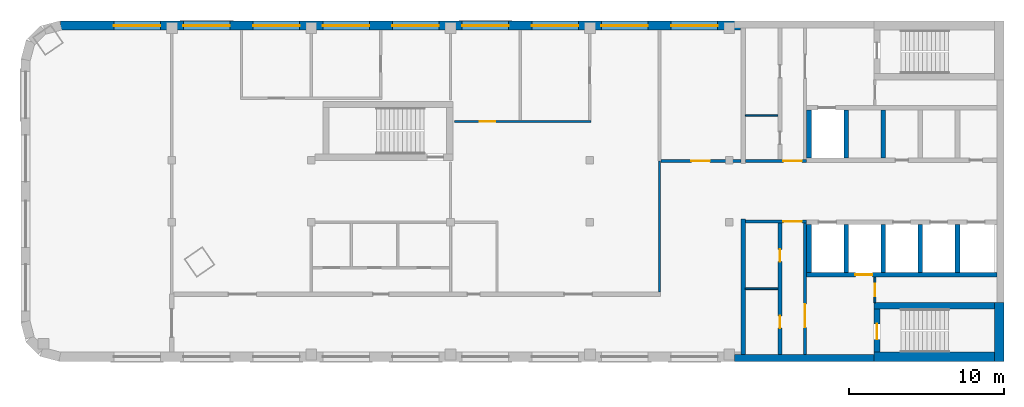
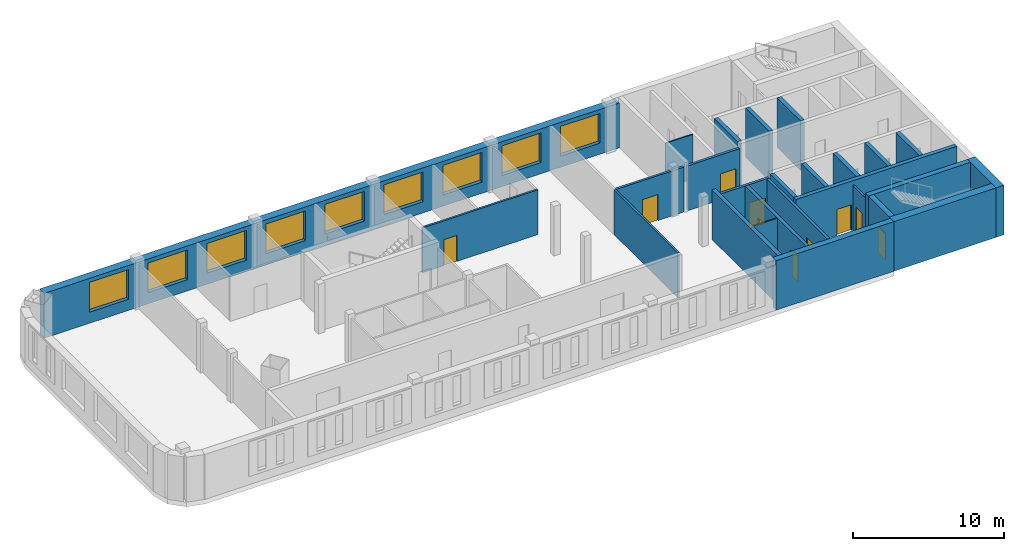
# One storey, part 3 of 6: 26 walls, 10 doors, 9 windows, 19 openings.
"""IFC4 building model written with IfcOpenShell, lengths in metres."""

import ifcopenshell
import ifcopenshell.guid

model = None  # the IFC model being written
_history = None  # IfcOwnerHistory: only IFC2X3 demands one
_inside = {}  # id of a spatial element -> (the spatial element, [elements in it])
_under = {}  # id of a project, library or spatial element -> (it, [spatial elements below it])
_declared = {}  # id of a project -> (the project, [libraries it declares])
_typed = {}  # id of a type object -> (the type object, [elements of that type])
_made_of = {}  # id of a material, layer set ... -> (it, [elements and type objects made of it])


def new_model(schema):
    """Start an empty IFC model of exactly this schema.

    Asked for "IFC4X3", IfcOpenShell would pick the latest addendum, in which some entities
    have other attributes; the version numbers below select the first issue.
    IFC2X3 requires an IfcOwnerHistory on every rooted entity: one is made here for all.
    """
    global model, _history
    if schema == "IFC4X3":
        model = ifcopenshell.file(schema_version=(4, 3, 0, 0))
    else:
        model = ifcopenshell.file(schema=schema)
    _inside.clear()
    _under.clear()
    _declared.clear()
    _typed.clear()
    _made_of.clear()
    _history = None
    if model.schema == "IFC2X3":
        org = make("IfcOrganization", Name="unknown")
        user = make(
            "IfcPersonAndOrganization",
            ThePerson=make("IfcPerson", FamilyName="unknown"),
            TheOrganization=org,
        )
        app = make(
            "IfcApplication",
            ApplicationDeveloper=org,
            Version="unknown",
            ApplicationFullName="unknown",
            ApplicationIdentifier="unknown",
        )
        _history = make(
            "IfcOwnerHistory",
            OwningUser=user,
            OwningApplication=app,
            ChangeAction="ADDED",
            CreationDate=0,
        )
    return model


def make(cls, **values):
    """One entity of the class cls with the attributes given. An attribute that is None is left unset."""
    return model.create_entity(
        cls, **{name: value for name, value in values.items() if value is not None}
    )


def rooted(cls, **values):
    """An entity with a GlobalId (a new one), such as an element, a storey or a relation."""
    return make(cls, GlobalId=ifcopenshell.guid.new(), OwnerHistory=_history, **values)


def si_unit(unit_type, name, prefix=None):
    """IfcSIUnit, for example si_unit("LENGTHUNIT", "METRE", prefix="MILLI")."""
    return make("IfcSIUnit", UnitType=unit_type, Prefix=prefix, Name=name)


def assignment(units):
    """IfcUnitAssignment: the units of a project."""
    return None if units is None else make("IfcUnitAssignment", Units=units)


def point(xyz):
    """IfcCartesianPoint."""
    return None if xyz is None else make("IfcCartesianPoint", Coordinates=xyz)


def direction(xyz):
    """IfcDirection."""
    return None if xyz is None else make("IfcDirection", DirectionRatios=xyz)


def frame(location, z_axis=None, x_axis=None):
    """IfcAxis2Placement3D, a coordinate frame: its origin and axes. An axis left out is left unset."""
    return make(
        "IfcAxis2Placement3D",
        Location=point(location),
        Axis=direction(z_axis),
        RefDirection=direction(x_axis),
    )


def frame_2d(location, x_axis=None):
    """IfcAxis2Placement2D, a coordinate frame in the plane: its origin and x axis."""
    return make(
        "IfcAxis2Placement2D", Location=point(location), RefDirection=direction(x_axis)
    )


def origin():
    """The frame at (0, 0, 0) with its axes left unset."""
    return frame((0.0, 0.0, 0.0))


def place(relative_to, where):
    """IfcLocalPlacement: puts the frame where relative to a parent placement (None: the world)."""
    return make(
        "IfcLocalPlacement", PlacementRelTo=relative_to, RelativePlacement=where
    )


def context(
    kind, dimensions, precision=None, world=None, true_north=None, identifier=None
):
    """IfcGeometricRepresentationContext, for example the 3D "Model" context."""
    return make(
        "IfcGeometricRepresentationContext",
        ContextIdentifier=identifier,
        ContextType=kind,
        CoordinateSpaceDimension=dimensions,
        Precision=precision,
        WorldCoordinateSystem=world,
        TrueNorth=true_north,
    )


def subcontext(parent, identifier, kind, view, scale=None):
    """IfcGeometricRepresentationSubContext, for example "Body" below "Model"."""
    return make(
        "IfcGeometricRepresentationSubContext",
        ContextIdentifier=identifier,
        ContextType=kind,
        ParentContext=parent,
        TargetScale=scale,
        TargetView=view,
    )


def project(units=None, contexts=None):
    """IfcProject with its units and contexts."""
    return rooted(
        "IfcProject",
        Name="project",
        RepresentationContexts=contexts,
        UnitsInContext=assignment(units),
    )


def spatial(cls, under=None, at=None, **own):
    """A site, building, storey or space (cls), placed at a placement, below another one or the project."""
    s = rooted(cls, ObjectPlacement=at, **own)
    if under is not None:
        _under.setdefault(under.id(), (under, []))[1].append(s)
    return s


def profile(cls, at=None, kind="AREA", **sizes):
    """A parametric profile (cls). Its sizes go by their IFC names, for example OverallWidth=200.0."""
    return make(cls, ProfileType=kind, Position=at, **sizes)


def rectangle(**sizes):
    """IfcRectangleProfileDef."""
    return profile("IfcRectangleProfileDef", **sizes)


def extrude(swept, where, along, depth):
    """IfcExtrudedAreaSolid: the profile swept, set in the frame where, extruded along a direction by depth."""
    return make(
        "IfcExtrudedAreaSolid",
        SweptArea=swept,
        Position=where,
        ExtrudedDirection=direction(along),
        Depth=depth,
    )


def shape(context_of_items, identifier, shape_type, items):
    """IfcShapeRepresentation: the items that make up one representation, for example the "Body"."""
    return make(
        "IfcShapeRepresentation",
        ContextOfItems=context_of_items,
        RepresentationIdentifier=identifier,
        RepresentationType=shape_type,
        Items=items,
    )


def material(Name=None, Category=None):
    """IfcMaterial."""
    return make("IfcMaterial", Name=Name, Category=Category)


def layer(
    of_material, thickness, ventilated=None, Name=None, Category=None, Priority=None
):
    """IfcMaterialLayer: one layer of a wall or slab, of a material (None: an air gap)."""
    return make(
        "IfcMaterialLayer",
        Material=of_material,
        LayerThickness=thickness,
        IsVentilated=ventilated,
        Name=Name,
        Category=Category,
        Priority=Priority,
    )


def layer_set(layers, Name=None):
    """IfcMaterialLayerSet."""
    return make("IfcMaterialLayerSet", MaterialLayers=layers, LayerSetName=Name)


def made_of(thing, what):
    """Note that an element or type object is made of a material, layer set ...; save() writes the relation."""
    if what is not None:
        _made_of.setdefault(what.id(), (what, []))[1].append(thing)
    return thing


def type_object(cls, material=None, **own):
    """A type object (cls), such as IfcWallType, which elements share."""
    return made_of(rooted(cls, **own), material)


def element(
    cls,
    number,
    at=None,
    inside=None,
    cuts=None,
    type_object=None,
    material=None,
    context=None,
    identifier="Body",
    shape_type=None,
    held_by="IfcProductDefinitionShape",
    body=None,
    shapes=None,
    **own,
):
    """One element of the class cls, such as IfcWall. Its Tag is "e" and its number.

    at: its placement. inside: the storey or other place that contains it. cuts: it is an
    opening in that element (IfcRelVoidsElement). A single representation is given by context,
    identifier, shape_type and body (its items); several are given by shapes. held_by: the class
    of the entity that holds the representations. save() writes the other relations.
    """
    e = rooted(cls, Tag="e%d" % number, ObjectPlacement=at, **own)
    if body is not None:
        shapes = [shape(context, identifier, shape_type, body)]
    if shapes is not None:
        e.Representation = make(held_by, Representations=shapes)
    if inside is not None:
        _inside.setdefault(inside.id(), (inside, []))[1].append(e)
    if cuts is not None:
        rooted(
            "IfcRelVoidsElement", RelatingBuildingElement=cuts, RelatedOpeningElement=e
        )
    if type_object is not None:
        _typed.setdefault(type_object.id(), (type_object, []))[1].append(e)
    return made_of(e, material)


def fill(opening, filler):
    """IfcRelFillsElement: the door or window that sits in an opening."""
    return rooted(
        "IfcRelFillsElement",
        RelatingOpeningElement=opening,
        RelatedBuildingElement=filler,
    )


def aggregate(whole, parts):
    """IfcRelAggregates: a whole, such as a stair, and the parts it consists of."""
    return rooted("IfcRelAggregates", RelatingObject=whole, RelatedObjects=parts)


def save(model, path):
    """Write the relations noted so far, then the file.

    IfcRelAggregates (storeys below a building ...), IfcRelContainedInSpatialStructure (elements
    in a storey), IfcRelDefinesByType, IfcRelAssociatesMaterial and IfcRelDeclares: one each for
    every whole, place, type object, material and project.
    """
    for whole, parts in _under.values():
        aggregate(whole, parts)
    for where, things in _inside.values():
        rooted(
            "IfcRelContainedInSpatialStructure",
            RelatedElements=things,
            RelatingStructure=where,
        )
    for kind, things in _typed.values():
        rooted("IfcRelDefinesByType", RelatedObjects=things, RelatingType=kind)
    for what, things in _made_of.values():
        rooted("IfcRelAssociatesMaterial", RelatedObjects=things, RelatingMaterial=what)
    for by, libraries in _declared.values():
        rooted("IfcRelDeclares", RelatingContext=by, RelatedDefinitions=libraries)
    model.write(path)


model = new_model("IFC4")

# Units and contexts
model_context = context("Model", 3, precision=1e-05, world=origin(), true_north=direction((0.0, 1.0)))
body_context = subcontext(model_context, "Body", "Model", "MODEL_VIEW")
ifc_project = project(units=[si_unit("LENGTHUNIT", "METRE"), si_unit("AREAUNIT", "SQUARE_METRE"), si_unit("VOLUMEUNIT", "CUBIC_METRE"), si_unit("PLANEANGLEUNIT", "RADIAN"), si_unit("MASSUNIT", "GRAM", prefix="KILO")], contexts=[model_context])

# Site, building, storey
site_placement = place(None, origin())
site = spatial("IfcSite", under=ifc_project, at=site_placement, CompositionType="ELEMENT")
building_placement = place(site_placement, origin())
building = spatial("IfcBuilding", under=site, at=building_placement, Name="Skarvind Civic Tower", CompositionType="ELEMENT")
storey_placement = place(building_placement, frame((0.0, 0.0, 269.5)))
storey = spatial("IfcBuildingStorey", under=building, at=storey_placement, Name="L64", CompositionType="ELEMENT", Elevation=269.5)

# Wall, opening, door
ifc_material_1 = material(Name="Acoustic gypsum board on steel studs", Category="steel")
ifc_layer_1 = layer(ifc_material_1, 0.175048828125)
ifc_layer_set_1 = layer_set([ifc_layer_1], Name="ACOUSTIC MEETING-ROOM PARTITION 175")
wall_type_1 = type_object("IfcWallType", Name="ACOUSTIC MEETING-ROOM PARTITION 175", PredefinedType="PARTITIONING", material=ifc_layer_set_1)
wall_1_placement = place(storey_placement, frame((85.837890625, 129.949951171875, 0.0), z_axis=(0.0, 0.0, 1.0), x_axis=(1.0, 0.0, 0.0)))
wall_1 = element("IfcWall", 1, at=wall_1_placement, inside=storey, type_object=wall_type_1, Name="Partition 64.023", PredefinedType="PARTITIONING", context=body_context, shape_type="SweptSolid", body=[
    extrude(rectangle(XDim=5.162109375, YDim=0.175048828125, at=frame_2d((2.5810546875, 0.0))), origin(), (0.0, 0.0, 1.0), 3.625),
])
opening_1_placement = place(wall_1_placement, frame((1.970947265625, 0.0, 0.0)))
opening_1 = element("IfcOpeningElement", 2, at=opening_1_placement, cuts=wall_1, Name="Opening L64-D001", PredefinedType="OPENING", context=body_context, shape_type="SweptSolid", body=[
    extrude(rectangle(XDim=1.199951171875, YDim=2.10009765625, at=frame_2d((0.60009765625, 1.050048828125))), frame((0.0, 0.097412109375, 0.0), z_axis=(0.0, -1.0, 0.0), x_axis=(1.0, 0.0, 0.0)), (0.0, 0.0, 1.0), 0.195068359375),
])
ifc_material_2 = material(Name="Timber door leaf", Category="wood")
door_type_1 = type_object("IfcDoorType", Name="DOOR 1200X2100 DOUBLE TIMBER", OperationType="NOTDEFINED", PredefinedType="DOOR", material=ifc_material_2)
door_1_placement = place(opening_1_placement, origin())
door_1 = element("IfcDoor", 3, at=door_1_placement, inside=storey, type_object=door_type_1, Name="Door L64-D001", OperationType="DOUBLE_DOOR_SINGLE_SWING", OverallHeight=2.10009765625, OverallWidth=1.199951171875, PredefinedType="DOOR", context=body_context, shape_type="SweptSolid", body=[
    extrude(rectangle(XDim=1.199951171875, YDim=2.10009765625, at=frame_2d((0.60009765625, 1.050048828125))), frame((0.0, 0.02490234375, 0.0), z_axis=(0.0, -1.0, 0.0), x_axis=(1.0, 0.0, 0.0)), (0.0, 0.0, 1.0), 0.050048828125),
])
fill(opening_1, door_1)

ifc_material_3 = material(Name="Fire-rated masonry partition", Category="masonry")
ifc_layer_2 = layer(ifc_material_3, 0.199951171875)
ifc_layer_set_2 = layer_set([ifc_layer_2], Name="Core enclosure wall 200")
wall_type_2 = type_object("IfcWallType", Name="Core enclosure wall 200", PredefinedType="PARTITIONING", material=ifc_layer_set_2)
wall_2_placement = place(storey_placement, frame((95.25, 126.050048828125, 0.0), z_axis=(0.0, 0.0, 1.0), x_axis=(-1.0, 0.0, 0.0)))
wall_2 = element("IfcWall", 4, at=wall_2_placement, inside=storey, type_object=wall_type_2, Name="Core wall C1", PredefinedType="PARTITIONING", context=body_context, shape_type="SweptSolid", body=[
    extrude(rectangle(XDim=3.949951171875, YDim=0.199951171875, at=frame_2d((1.97509765625, 0.0))), origin(), (0.0, 0.0, 1.0), 3.625),
])
opening_2_placement = place(wall_2_placement, frame((0.300048828125, 0.0, 0.0)))
opening_2 = element("IfcOpeningElement", 5, at=opening_2_placement, cuts=wall_2, Name="Opening D-L64-C1-07", PredefinedType="OPENING", context=body_context, shape_type="SweptSolid", body=[
    extrude(rectangle(XDim=1.199951171875, YDim=2.10009765625, at=frame_2d((0.60009765625, 1.050048828125))), frame((0.0, 0.10986328125, 0.0), z_axis=(0.0, -1.0, 0.0), x_axis=(1.0, 0.0, 0.0)), (0.0, 0.0, 1.0), 0.219970703125),
])
ifc_material_4 = material(Name="Fire-rated steel door", Category="steel")
door_type_2 = type_object("IfcDoorType", Name="Core lobby door 1200", OperationType="NOTDEFINED", PredefinedType="DOOR", material=ifc_material_4)
door_2_placement = place(opening_2_placement, origin())
door_2 = element("IfcDoor", 6, at=door_2_placement, inside=storey, type_object=door_type_2, Name="Fire door", OperationType="DOUBLE_DOOR_SINGLE_SWING", OverallHeight=2.10009765625, OverallWidth=1.199951171875, PredefinedType="DOOR", context=body_context, shape_type="SweptSolid", body=[
    extrude(rectangle(XDim=1.199951171875, YDim=2.10009765625, at=frame_2d((0.60009765625, 1.050048828125))), frame((0.0, 0.02490234375, 0.0), z_axis=(0.0, -1.0, 0.0), x_axis=(1.0, 0.0, 0.0)), (0.0, 0.0, 1.0), 0.050048828125),
])
fill(opening_2, door_2)

wall_3_placement = place(storey_placement, frame((95.14990234375, 117.449951171875, 0.0), z_axis=(0.0, 0.0, 1.0), x_axis=(0.0, 1.0, 0.0)))
wall_3 = element("IfcWall", 7, at=wall_3_placement, inside=storey, type_object=wall_type_2, Name="Core wall C1", PredefinedType="PARTITIONING", context=body_context, shape_type="SweptSolid", body=[
    extrude(rectangle(XDim=8.5, YDim=0.199951171875, at=frame_2d((4.25, 0.0))), origin(), (0.0, 0.0, 1.0), 3.625),
])
opening_3_placement = place(wall_3_placement, frame((1.75, 0.0, 0.0)))
opening_3 = element("IfcOpeningElement", 8, at=opening_3_placement, cuts=wall_3, Name="Opening D-L64-C1-08", PredefinedType="OPENING", context=body_context, shape_type="SweptSolid", body=[
    extrude(rectangle(XDim=1.5, YDim=2.10009765625, at=frame_2d((0.75, 1.050048828125))), frame((0.0, 0.10986328125, 0.0), z_axis=(0.0, -1.0, 0.0), x_axis=(1.0, 0.0, 0.0)), (0.0, 0.0, 1.0), 0.219970703125),
])
door_type_3 = type_object("IfcDoorType", Name="Fire door 1500", OperationType="NOTDEFINED", PredefinedType="DOOR", material=ifc_material_4)
door_3_placement = place(opening_3_placement, origin())
door_3 = element("IfcDoor", 9, at=door_3_placement, inside=storey, type_object=door_type_3, Name="Fire door", OperationType="DOUBLE_DOOR_SINGLE_SWING", OverallHeight=2.10009765625, OverallWidth=1.5, PredefinedType="DOOR", context=body_context, shape_type="SweptSolid", body=[
    extrude(rectangle(XDim=1.5, YDim=2.10009765625, at=frame_2d((0.75, 1.050048828125))), frame((0.0, 0.02490234375, 0.0), z_axis=(0.0, -1.0, 0.0), x_axis=(1.0, 0.0, 0.0)), (0.0, 0.0, 1.0), 0.050048828125),
])
fill(opening_3, door_3)

wall_4_placement = place(storey_placement, frame((91.300048828125, 129.949951171875, 0.0), z_axis=(0.0, 0.0, 1.0), x_axis=(1.0, 0.0, 0.0)))
wall_4 = element("IfcWall", 10, at=wall_4_placement, inside=storey, type_object=wall_type_2, Name="Core wall C1", PredefinedType="PARTITIONING", context=body_context, shape_type="SweptSolid", body=[
    extrude(rectangle(XDim=3.949951171875, YDim=0.199951171875, at=frame_2d((1.97509765625, 0.0))), origin(), (0.0, 0.0, 1.0), 3.625),
])
opening_4_placement = place(wall_4_placement, frame((2.449951171875, 0.0, 0.0)))
opening_4 = element("IfcOpeningElement", 11, at=opening_4_placement, cuts=wall_4, Name="Opening D-L64-C1-13", PredefinedType="OPENING", context=body_context, shape_type="SweptSolid", body=[
    extrude(rectangle(XDim=1.199951171875, YDim=2.10009765625, at=frame_2d((0.60009765625, 1.050048828125))), frame((0.0, 0.10986328125, 0.0), z_axis=(0.0, -1.0, 0.0), x_axis=(1.0, 0.0, 0.0)), (0.0, 0.0, 1.0), 0.219970703125),
])
door_4_placement = place(opening_4_placement, origin())
door_4 = element("IfcDoor", 12, at=door_4_placement, inside=storey, type_object=door_type_2, Name="Fire door", OperationType="DOUBLE_DOOR_SINGLE_SWING", OverallHeight=2.10009765625, OverallWidth=1.199951171875, PredefinedType="DOOR", context=body_context, shape_type="SweptSolid", body=[
    extrude(rectangle(XDim=1.199951171875, YDim=2.10009765625, at=frame_2d((0.60009765625, 1.050048828125))), frame((0.0, 0.02490234375, 0.0), z_axis=(0.0, -1.0, 0.0), x_axis=(1.0, 0.0, 0.0)), (0.0, 0.0, 1.0), 0.050048828125),
])
fill(opening_4, door_4)

# Walls
ifc_material_5 = material(Name="Fire-rated plasterboard partition")
ifc_layer_3 = layer(ifc_material_5, 0.10009765625)
ifc_layer_set_3 = layer_set([ifc_layer_3], Name="Core partition wall 100")
wall_type_3 = type_object("IfcWallType", Name="Core partition wall 100", PredefinedType="PARTITIONING", material=ifc_layer_set_3)
for number, where, z_axis, x_axis, name in (
    (13, (93.39990234375, 121.699951171875, 0.0), (0.0, 0.0, 1.0), (-1.0, 0.0, 0.0), "Core wall C1"),
    (14, (91.300048828125, 132.8798828125, 0.0), (0.0, 0.0, 1.0), (1.0, 0.0, 0.0), "Core wall C1"),
):
    element("IfcWall", number, at=place(storey_placement, frame(where, z_axis=z_axis, x_axis=x_axis)), inside=storey, type_object=wall_type_3, Name=name, PredefinedType="PARTITIONING", context=body_context, shape_type="SweptSolid", body=[
        extrude(rectangle(XDim=2.099853515625, YDim=0.10009765625, at=frame_2d((1.0498046875, 0.0))), origin(), (0.0, 0.0, 1.0), 3.625),
    ])
ifc_material_6 = material(Name="Concrete C60", Category="concrete")
ifc_layer_4 = layer(ifc_material_6, 0.300048828125)
ifc_layer_set_4 = layer_set([ifc_layer_4], Name="Core wall 300 C60")
wall_type_4 = type_object("IfcWallType", Name="Core wall 300 C60", PredefinedType="SHEAR", material=ifc_layer_set_4)
for number, where, z_axis, x_axis, name in (
    (15, (100.199951171875, 133.25, 0.0), (0.0, 0.0, 1.0), (0.0, -1.0, 0.0), "Core wall C1 south lift row division 3 L64"),
    (16, (97.800048828125, 133.25, 0.0), (0.0, 0.0, 1.0), (0.0, -1.0, 0.0), "Core wall C1 south lift row division 4 L64"),
    (17, (95.39990234375, 133.25, 0.0), (0.0, 0.0, 1.0), (0.0, -1.0, 0.0), "Core wall C1 south lift row division 5 L64"),
):
    element("IfcWall", number, at=place(storey_placement, frame(where, z_axis=z_axis, x_axis=x_axis)), inside=storey, type_object=wall_type_4, Name=name, PredefinedType="SHEAR", context=body_context, shape_type="SweptSolid", body=[
        extrude(rectangle(XDim=3.10009765625, YDim=0.300048828125, at=frame_2d((1.550048828125, 0.0))), origin(), (0.0, 0.0, 1.0), 4.0),
    ])

# Wall, opening, door
wall_5_placement = place(storey_placement, frame((107.550048828125, 122.60009765625, 0.0), z_axis=(0.0, 0.0, 1.0), x_axis=(-1.0, 0.0, 0.0)))
wall_5 = element("IfcWall", 18, at=wall_5_placement, inside=storey, type_object=wall_type_4, Name="Core wall C1 north lift row back L64", PredefinedType="SHEAR", context=body_context, shape_type="SweptSolid", body=[
    extrude(rectangle(XDim=12.300048828125, YDim=0.300048828125, at=frame_2d((6.14990234375, 0.0))), origin(), (0.0, 0.0, 1.0), 4.0),
])
opening_5_placement = place(wall_5_placement, frame((8.050048828125, 0.0, 0.0)))
opening_5 = element("IfcOpeningElement", 19, at=opening_5_placement, cuts=wall_5, Name="Opening LD66104", PredefinedType="OPENING", context=body_context, shape_type="SweptSolid", body=[
    extrude(rectangle(XDim=1.10009765625, YDim=2.10009765625, at=frame_2d((0.550048828125, 1.050048828125))), frame((0.0, 0.159912109375, 0.0), z_axis=(0.0, -1.0, 0.0), x_axis=(1.0, 0.0, 0.0)), (0.0, 0.0, 1.0), 0.320068359375),
])
ifc_material_7 = material(Name="Stainless steel landing door", Category="steel")
door_type_4 = type_object("IfcDoorType", Name="Lift landing door 1100", OperationType="DOUBLE_DOOR_SLIDING", PredefinedType="DOOR", material=ifc_material_7)
door_5_placement = place(opening_5_placement, origin())
door_5 = element("IfcDoor", 20, at=door_5_placement, inside=storey, type_object=door_type_4, Name="Lift landing door", OperationType="DOUBLE_DOOR_SLIDING", OverallHeight=2.10009765625, OverallWidth=1.10009765625, PredefinedType="DOOR", context=body_context, shape_type="SweptSolid", body=[
    extrude(rectangle(XDim=1.10009765625, YDim=2.10009765625, at=frame_2d((0.550048828125, 1.050048828125))), frame((0.0, 0.02490234375, 0.0), z_axis=(0.0, -1.0, 0.0), x_axis=(1.0, 0.0, 0.0)), (0.0, 0.0, 1.0), 0.050048828125),
])
fill(opening_5, door_5)

# Walls
for number, where, z_axis, x_axis, name in (
    (21, (105.0, 125.85009765625, 0.0), (0.0, 0.0, 1.0), (0.0, -1.0, 0.0), "Core wall C1 north lift row division 1 L64"),
    (22, (102.60009765625, 125.85009765625, 0.0), (0.0, 0.0, 1.0), (0.0, -1.0, 0.0), "Core wall C1 north lift row division 2 L64"),
    (23, (100.199951171875, 125.85009765625, 0.0), (0.0, 0.0, 1.0), (0.0, -1.0, 0.0), "Core wall C1 north lift row division 3 L64"),
    (24, (97.800048828125, 125.85009765625, 0.0), (0.0, 0.0, 1.0), (0.0, -1.0, 0.0), "Core wall C1 north lift row division 4 L64"),
    (25, (95.39990234375, 125.85009765625, 0.0), (0.0, 0.0, 1.0), (0.0, -1.0, 0.0), "Core wall C1 north lift row division 5 L64"),
):
    element("IfcWall", number, at=place(storey_placement, frame(where, z_axis=z_axis, x_axis=x_axis)), inside=storey, type_object=wall_type_4, Name=name, PredefinedType="SHEAR", context=body_context, shape_type="SweptSolid", body=[
        extrude(rectangle(XDim=3.10009765625, YDim=0.300048828125, at=frame_2d((1.550048828125, 0.0))), origin(), (0.0, 0.0, 1.0), 4.0),
    ])
wall_6_placement = place(storey_placement, frame((91.14990234375, 126.199951171875, 0.0), z_axis=(0.0, 0.0, 1.0), x_axis=(0.0, -1.0, 0.0)))
element("IfcWall", 26, at=wall_6_placement, inside=storey, type_object=wall_type_4, Name="Core wall C1 north inner face L64", PredefinedType="SHEAR", context=body_context, shape_type="SweptSolid", body=[
    extrude(rectangle(XDim=8.75, YDim=0.300048828125, at=frame_2d((4.375, 0.0))), origin(), (0.0, 0.0, 1.0), 4.0),
])
ifc_layer_5 = layer(ifc_material_6, 0.39990234375)
ifc_layer_set_5 = layer_set([ifc_layer_5], Name="Core wall 400 C60")
wall_type_5 = type_object("IfcWallType", Name="Core wall 400 C60", PredefinedType="SHEAR", material=ifc_layer_set_5)
wall_7_placement = place(storey_placement, frame((107.39990234375, 120.60009765625, 0.0), z_axis=(0.0, 0.0, 1.0), x_axis=(-1.0, 0.0, 0.0)))
element("IfcWall", 27, at=wall_7_placement, inside=storey, type_object=wall_type_5, Name="Core wall C1 north stair inner L64", PredefinedType="SHEAR", context=body_context, shape_type="SweptSolid", body=[
    extrude(rectangle(XDim=7.7998046875, YDim=0.39990234375, at=frame_2d((3.89990234375, 0.0))), origin(), (0.0, 0.0, 1.0), 4.0),
])

# Wall, opening, door
wall_8_placement = place(storey_placement, frame((99.800048828125, 120.39990234375, 0.0), z_axis=(0.0, 0.0, 1.0), x_axis=(0.0, -1.0, 0.0)))
wall_8 = element("IfcWall", 28, at=wall_8_placement, inside=storey, type_object=wall_type_5, Name="Core wall C1 north stair end L64", PredefinedType="SHEAR", context=body_context, shape_type="SweptSolid", body=[
    extrude(rectangle(XDim=2.7998046875, YDim=0.39990234375, at=frame_2d((1.39990234375, 0.0))), origin(), (0.0, 0.0, 1.0), 4.0),
])
opening_6_placement = place(wall_8_placement, frame((0.97509765625, 0.0, 0.0)))
opening_6 = element("IfcOpeningElement", 29, at=opening_6_placement, cuts=wall_8, Name="Opening D-L64-C1-09", PredefinedType="OPENING", context=body_context, shape_type="SweptSolid", body=[
    extrude(rectangle(XDim=1.0, YDim=2.10009765625, at=frame_2d((0.5, 1.050048828125))), frame((0.0, 0.2099609375, 0.0), z_axis=(0.0, -1.0, 0.0), x_axis=(1.0, 0.0, 0.0)), (0.0, 0.0, 1.0), 0.419921875),
])
door_type_5 = type_object("IfcDoorType", Name="Fire door 1000", OperationType="NOTDEFINED", PredefinedType="DOOR", material=ifc_material_4)
door_6_placement = place(opening_6_placement, origin())
door_6 = element("IfcDoor", 30, at=door_6_placement, inside=storey, type_object=door_type_5, Name="Fire door", OperationType="SINGLE_SWING_LEFT", OverallHeight=2.10009765625, OverallWidth=1.0, PredefinedType="DOOR", context=body_context, shape_type="SweptSolid", body=[
    extrude(rectangle(XDim=1.0, YDim=2.10009765625, at=frame_2d((0.5, 1.050048828125))), frame((0.0, 0.02490234375, 0.0), z_axis=(0.0, -1.0, 0.0), x_axis=(1.0, 0.0, 0.0)), (0.0, 0.0, 1.0), 0.050048828125),
])
fill(opening_6, door_6)

# Walls
ifc_layer_6 = layer(ifc_material_6, 0.449951171875)
ifc_layer_set_6 = layer_set([ifc_layer_6], Name="Core wall 450 C60")
wall_type_6 = type_object("IfcWallType", Name="Core wall 450 C60", PredefinedType="SHEAR", material=ifc_layer_set_6)
wall_9_placement = place(storey_placement, frame((99.60009765625, 117.22509765625, 0.0), z_axis=(0.0, 0.0, 1.0), x_axis=(-1.0, 0.0, 0.0)))
element("IfcWall", 31, at=wall_9_placement, inside=storey, type_object=wall_type_6, Name="Core wall C1 north side L64", PredefinedType="SHEAR", context=body_context, shape_type="SweptSolid", body=[
    extrude(rectangle(XDim=9.0, YDim=0.449951171875, at=frame_2d((4.5, 0.0))), origin(), (0.0, 0.0, 1.0), 4.0),
])
ifc_layer_7 = layer(ifc_material_6, 0.60009765625)
ifc_layer_set_7 = layer_set([ifc_layer_7], Name="Core wall 600 C60")
wall_type_7 = type_object("IfcWallType", Name="Core wall 600 C60", PredefinedType="SHEAR", material=ifc_layer_set_7)
wall_10_placement = place(storey_placement, frame((107.699951171875, 120.800048828125, 0.0), z_axis=(0.0, 0.0, 1.0), x_axis=(0.0, -1.0, 0.0)))
element("IfcWall", 32, at=wall_10_placement, inside=storey, type_object=wall_type_7, Name="Core wall C1 tip at the north stair L64", PredefinedType="SHEAR", context=body_context, shape_type="SweptSolid", body=[
    extrude(rectangle(XDim=3.800048828125, YDim=0.60009765625, at=frame_2d((1.89990234375, 0.0))), origin(), (0.0, 0.0, 1.0), 4.0),
])
wall_11_placement = place(storey_placement, frame((107.39990234375, 117.300048828125, 0.0), z_axis=(0.0, 0.0, 1.0), x_axis=(-1.0, 0.0, 0.0)))
element("IfcWall", 33, at=wall_11_placement, inside=storey, type_object=wall_type_7, Name="Core wall C1 north side at the stair L64", PredefinedType="SHEAR", context=body_context, shape_type="SweptSolid", body=[
    extrude(rectangle(XDim=7.7998046875, YDim=0.60009765625, at=frame_2d((3.89990234375, 0.0))), origin(), (0.0, 0.0, 1.0), 4.0),
])

# Wall, opening, door
ifc_material_8 = material(Name="Plasterboard partition on steel studs", Category="steel")
ifc_layer_8 = layer(ifc_material_8, 0.14990234375)
ifc_layer_set_8 = layer_set([ifc_layer_8], Name="PARTITION 150")
wall_type_8 = type_object("IfcWallType", Name="PARTITION 150", PredefinedType="PARTITIONING", material=ifc_layer_set_8)
wall_12_placement = place(storey_placement, frame((81.324951171875, 132.5, 0.0), z_axis=(0.0, 0.0, 1.0), x_axis=(-1.0, 0.0, 0.0)))
wall_12 = element("IfcWall", 34, at=wall_12_placement, inside=storey, type_object=wall_type_8, Name="Partition 64.016", PredefinedType="PARTITIONING", context=body_context, shape_type="SweptSolid", body=[
    extrude(rectangle(XDim=8.824951171875, YDim=0.14990234375, at=frame_2d((4.41259765625, 0.0))), origin(), (0.0, 0.0, 1.0), 3.625),
])
opening_7_placement = place(wall_12_placement, frame((6.199951171875, 0.0, 0.0)))
opening_7 = element("IfcOpeningElement", 35, at=opening_7_placement, cuts=wall_12, Name="Opening L64-D004", PredefinedType="OPENING", context=body_context, shape_type="SweptSolid", body=[
    extrude(rectangle(XDim=1.0, YDim=2.10009765625, at=frame_2d((0.5, 1.050048828125))), frame((0.0, 0.0849609375, 0.0), z_axis=(0.0, -1.0, 0.0), x_axis=(1.0, 0.0, 0.0)), (0.0, 0.0, 1.0), 0.169921875),
])
door_type_6 = type_object("IfcDoorType", Name="D1 1000x2100", OperationType="NOTDEFINED", PredefinedType="DOOR", material=ifc_material_2)
door_7_placement = place(opening_7_placement, origin())
door_7 = element("IfcDoor", 36, at=door_7_placement, inside=storey, type_object=door_type_6, Name="Door L64-D004", OperationType="SINGLE_SWING_RIGHT", OverallHeight=2.10009765625, OverallWidth=1.0, PredefinedType="DOOR", context=body_context, shape_type="SweptSolid", body=[
    extrude(rectangle(XDim=1.0, YDim=2.10009765625, at=frame_2d((0.5, 1.050048828125))), frame((0.0, 0.02490234375, 0.0), z_axis=(0.0, -1.0, 0.0), x_axis=(1.0, 0.0, 0.0)), (0.0, 0.0, 1.0), 0.050048828125),
])
fill(opening_7, door_7)

# Wall
wall_13_placement = place(storey_placement, frame((85.75, 121.5, 0.0), z_axis=(0.0, 0.0, 1.0), x_axis=(0.0, 1.0, 0.0)))
element("IfcWall", 37, at=wall_13_placement, inside=storey, type_object=wall_type_8, Name="Partition 64.021", PredefinedType="PARTITIONING", context=body_context, shape_type="SweptSolid", body=[
    extrude(rectangle(XDim=8.449951171875, YDim=0.14990234375, at=frame_2d((4.22509765625, 0.0))), origin(), (0.0, 0.0, 1.0), 3.625),
])

# Wall, opening, door
ifc_layer_9 = layer(ifc_material_3, 0.125)
ifc_layer_set_9 = layer_set([ifc_layer_9], Name="Riser wall 125")
wall_type_9 = type_object("IfcWallType", Name="Riser wall 125", PredefinedType="PARTITIONING", material=ifc_layer_set_9)
wall_14_placement = place(storey_placement, frame((99.66259765625, 120.800048828125, 0.0), z_axis=(0.0, 0.0, 1.0), x_axis=(0.0, 1.0, 0.0)))
wall_14 = element("IfcWall", 38, at=wall_14_placement, inside=storey, type_object=wall_type_9, Name="Core wall C1", PredefinedType="PARTITIONING", context=body_context, shape_type="SweptSolid", body=[
    extrude(rectangle(XDim=1.64990234375, YDim=0.125, at=frame_2d((0.824951171875, 0.0))), origin(), (0.0, 0.0, 1.0), 3.625),
])
opening_8_placement = place(wall_14_placement, frame((0.425048828125, 0.0, 0.0)))
opening_8 = element("IfcOpeningElement", 39, at=opening_8_placement, cuts=wall_14, Name="Opening D-L64-C1-10", PredefinedType="OPENING", context=body_context, shape_type="SweptSolid", body=[
    extrude(rectangle(XDim=0.800048828125, YDim=2.10009765625, at=frame_2d((0.39990234375, 1.050048828125))), frame((0.0, 0.072509765625, 0.0), z_axis=(0.0, -1.0, 0.0), x_axis=(1.0, 0.0, 0.0)), (0.0, 0.0, 1.0), 0.14501953125),
])
door_type_7 = type_object("IfcDoorType", Name="Core riser door 800", OperationType="NOTDEFINED", PredefinedType="DOOR", material=ifc_material_4)
door_8_placement = place(opening_8_placement, origin())
door_8 = element("IfcDoor", 40, at=door_8_placement, inside=storey, type_object=door_type_7, Name="Riser door", OperationType="SINGLE_SWING_RIGHT", OverallHeight=2.10009765625, OverallWidth=0.800048828125, PredefinedType="DOOR", context=body_context, shape_type="SweptSolid", body=[
    extrude(rectangle(XDim=0.800048828125, YDim=2.10009765625, at=frame_2d((0.39990234375, 1.050048828125))), frame((0.0, 0.02490234375, 0.0), z_axis=(0.0, -1.0, 0.0), x_axis=(1.0, 0.0, 0.0)), (0.0, 0.0, 1.0), 0.050048828125),
])
fill(opening_8, door_8)

# Wall, openings, doors
ifc_layer_10 = layer(ifc_material_3, 0.25)
ifc_layer_set_10 = layer_set([ifc_layer_10], Name="Service block wall 250")
wall_type_10 = type_object("IfcWallType", Name="Service block wall 250", PredefinedType="PARTITIONING", material=ifc_layer_set_10)
wall_15_placement = place(storey_placement, frame((93.52490234375, 117.449951171875, 0.0), z_axis=(0.0, 0.0, 1.0), x_axis=(0.0, 1.0, 0.0)))
wall_15 = element("IfcWall", 41, at=wall_15_placement, inside=storey, type_object=wall_type_10, Name="Core wall C1", PredefinedType="PARTITIONING", context=body_context, shape_type="SweptSolid", body=[
    extrude(rectangle(XDim=8.5, YDim=0.25, at=frame_2d((4.25, 0.0))), origin(), (0.0, 0.0, 1.0), 3.625),
])
opening_9_placement = place(wall_15_placement, frame((6.0, 0.0, 0.0)))
opening_9 = element("IfcOpeningElement", 42, at=opening_9_placement, cuts=wall_15, Name="Opening D-L64-C1-11", PredefinedType="OPENING", context=body_context, shape_type="SweptSolid", body=[
    extrude(rectangle(XDim=0.800048828125, YDim=2.10009765625, at=frame_2d((0.39990234375, 1.050048828125))), frame((0.0, 0.135009765625, 0.0), z_axis=(0.0, -1.0, 0.0), x_axis=(1.0, 0.0, 0.0)), (0.0, 0.0, 1.0), 0.27001953125),
])
opening_10_placement = place(wall_15_placement, frame((1.699951171875, 0.0, 0.0)))
opening_10 = element("IfcOpeningElement", 43, at=opening_10_placement, cuts=wall_15, Name="Opening D-L64-C1-12", PredefinedType="OPENING", context=body_context, shape_type="SweptSolid", body=[
    extrude(rectangle(XDim=0.800048828125, YDim=2.10009765625, at=frame_2d((0.39990234375, 1.050048828125))), frame((0.0, 0.135009765625, 0.0), z_axis=(0.0, -1.0, 0.0), x_axis=(1.0, 0.0, 0.0)), (0.0, 0.0, 1.0), 0.27001953125),
])
door_9_placement = place(opening_9_placement, origin())
door_9 = element("IfcDoor", 44, at=door_9_placement, inside=storey, type_object=door_type_7, Name="Riser door", OperationType="SINGLE_SWING_LEFT", OverallHeight=2.10009765625, OverallWidth=0.800048828125, PredefinedType="DOOR", context=body_context, shape_type="SweptSolid", body=[
    extrude(rectangle(XDim=0.800048828125, YDim=2.10009765625, at=frame_2d((0.39990234375, 1.050048828125))), frame((0.0, 0.02490234375, 0.0), z_axis=(0.0, -1.0, 0.0), x_axis=(1.0, 0.0, 0.0)), (0.0, 0.0, 1.0), 0.050048828125),
])
fill(opening_9, door_9)
door_10_placement = place(opening_10_placement, origin())
door_10 = element("IfcDoor", 45, at=door_10_placement, inside=storey, type_object=door_type_7, Name="Riser door", OperationType="SINGLE_SWING_RIGHT", OverallHeight=2.10009765625, OverallWidth=0.800048828125, PredefinedType="DOOR", context=body_context, shape_type="SweptSolid", body=[
    extrude(rectangle(XDim=0.800048828125, YDim=2.10009765625, at=frame_2d((0.39990234375, 1.050048828125))), frame((0.0, 0.02490234375, 0.0), z_axis=(0.0, -1.0, 0.0), x_axis=(1.0, 0.0, 0.0)), (0.0, 0.0, 1.0), 0.050048828125),
])
fill(opening_10, door_10)

# Wall, openings, windows
ifc_material_9 = material(Name="Standing-seam zinc cladding on insulated backing")
ifc_layer_11 = layer(ifc_material_9, 0.60009765625)
ifc_layer_set_11 = layer_set([ifc_layer_11], Name="WX2 ZINC-CLAD FACADE WALL 600")
wall_type_11 = type_object("IfcWallType", Name="WX2 ZINC-CLAD FACADE WALL 600", PredefinedType="SOLIDWALL", material=ifc_layer_set_11)
wall_16_placement = place(storey_placement, frame((47.070068359375, 138.699951171875, 0.0), z_axis=(0.0, 0.0, 1.0), x_axis=(1.0, 0.0, 0.0)))
wall_16 = element("IfcWall", 46, at=wall_16_placement, inside=storey, type_object=wall_type_11, Name="ZINC-CLAD FACADE WALL", PredefinedType="SOLIDWALL", context=body_context, shape_type="SweptSolid", body=[
    extrude(rectangle(XDim=43.909912109375, YDim=0.60009765625, at=frame_2d((21.955078125, 0.0))), origin(), (0.0, 0.0, 1.0), 3.625),
])
opening_11_placement = place(wall_16_placement, frame((3.429931640625, 0.0, 0.89990234375)))
opening_11 = element("IfcOpeningElement", 47, at=opening_11_placement, cuts=wall_16, Name="Opening WN4", PredefinedType="OPENING", context=body_context, shape_type="SweptSolid", body=[
    extrude(rectangle(XDim=3.0, YDim=2.39990234375, at=frame_2d((1.5, 1.199951171875))), frame((0.0, 0.31005859375, 0.0), z_axis=(0.0, -1.0, 0.0), x_axis=(1.0, 0.0, 0.0)), (0.0, 0.0, 1.0), 0.6201171875),
])
opening_12_placement = place(wall_16_placement, frame((7.929931640625, 0.0, 0.89990234375)))
opening_12 = element("IfcOpeningElement", 48, at=opening_12_placement, cuts=wall_16, Name="Opening WN4", PredefinedType="OPENING", context=body_context, shape_type="SweptSolid", body=[
    extrude(rectangle(XDim=3.0, YDim=2.39990234375, at=frame_2d((1.5, 1.199951171875))), frame((0.0, 0.31005859375, 0.0), z_axis=(0.0, -1.0, 0.0), x_axis=(1.0, 0.0, 0.0)), (0.0, 0.0, 1.0), 0.6201171875),
])
opening_13_placement = place(wall_16_placement, frame((12.429931640625, 0.0, 0.89990234375)))
opening_13 = element("IfcOpeningElement", 49, at=opening_13_placement, cuts=wall_16, Name="Opening WN4", PredefinedType="OPENING", context=body_context, shape_type="SweptSolid", body=[
    extrude(rectangle(XDim=3.0, YDim=2.39990234375, at=frame_2d((1.5, 1.199951171875))), frame((0.0, 0.31005859375, 0.0), z_axis=(0.0, -1.0, 0.0), x_axis=(1.0, 0.0, 0.0)), (0.0, 0.0, 1.0), 0.6201171875),
])
opening_14_placement = place(wall_16_placement, frame((16.929931640625, 0.0, 0.89990234375)))
opening_14 = element("IfcOpeningElement", 50, at=opening_14_placement, cuts=wall_16, Name="Opening WN4", PredefinedType="OPENING", context=body_context, shape_type="SweptSolid", body=[
    extrude(rectangle(XDim=3.0, YDim=2.39990234375, at=frame_2d((1.5, 1.199951171875))), frame((0.0, 0.31005859375, 0.0), z_axis=(0.0, -1.0, 0.0), x_axis=(1.0, 0.0, 0.0)), (0.0, 0.0, 1.0), 0.6201171875),
])
opening_15_placement = place(wall_16_placement, frame((21.429931640625, 0.0, 0.89990234375)))
opening_15 = element("IfcOpeningElement", 51, at=opening_15_placement, cuts=wall_16, Name="Opening WN4", PredefinedType="OPENING", context=body_context, shape_type="SweptSolid", body=[
    extrude(rectangle(XDim=3.0, YDim=2.39990234375, at=frame_2d((1.5, 1.199951171875))), frame((0.0, 0.31005859375, 0.0), z_axis=(0.0, -1.0, 0.0), x_axis=(1.0, 0.0, 0.0)), (0.0, 0.0, 1.0), 0.6201171875),
])
opening_16_placement = place(wall_16_placement, frame((25.929931640625, 0.0, 0.89990234375)))
opening_16 = element("IfcOpeningElement", 52, at=opening_16_placement, cuts=wall_16, Name="Opening WN4", PredefinedType="OPENING", context=body_context, shape_type="SweptSolid", body=[
    extrude(rectangle(XDim=3.0, YDim=2.39990234375, at=frame_2d((1.5, 1.199951171875))), frame((0.0, 0.31005859375, 0.0), z_axis=(0.0, -1.0, 0.0), x_axis=(1.0, 0.0, 0.0)), (0.0, 0.0, 1.0), 0.6201171875),
])
opening_17_placement = place(wall_16_placement, frame((30.429931640625, 0.0, 0.89990234375)))
opening_17 = element("IfcOpeningElement", 53, at=opening_17_placement, cuts=wall_16, Name="Opening WN4", PredefinedType="OPENING", context=body_context, shape_type="SweptSolid", body=[
    extrude(rectangle(XDim=3.0, YDim=2.39990234375, at=frame_2d((1.5, 1.199951171875))), frame((0.0, 0.31005859375, 0.0), z_axis=(0.0, -1.0, 0.0), x_axis=(1.0, 0.0, 0.0)), (0.0, 0.0, 1.0), 0.6201171875),
])
opening_18_placement = place(wall_16_placement, frame((34.929931640625, 0.0, 0.89990234375)))
opening_18 = element("IfcOpeningElement", 54, at=opening_18_placement, cuts=wall_16, Name="Opening WN4", PredefinedType="OPENING", context=body_context, shape_type="SweptSolid", body=[
    extrude(rectangle(XDim=3.0, YDim=2.39990234375, at=frame_2d((1.5, 1.199951171875))), frame((0.0, 0.31005859375, 0.0), z_axis=(0.0, -1.0, 0.0), x_axis=(1.0, 0.0, 0.0)), (0.0, 0.0, 1.0), 0.6201171875),
])
opening_19_placement = place(wall_16_placement, frame((39.429931640625, 0.0, 0.89990234375)))
opening_19 = element("IfcOpeningElement", 55, at=opening_19_placement, cuts=wall_16, Name="Opening WN4", PredefinedType="OPENING", context=body_context, shape_type="SweptSolid", body=[
    extrude(rectangle(XDim=3.0, YDim=2.39990234375, at=frame_2d((1.5, 1.199951171875))), frame((0.0, 0.31005859375, 0.0), z_axis=(0.0, -1.0, 0.0), x_axis=(1.0, 0.0, 0.0)), (0.0, 0.0, 1.0), 0.6201171875),
])
ifc_material_10 = material(Name="Timber frame, double glazing, copper-lined reveal", Category="wood")
window_type = type_object("IfcWindowType", Name="WN4 COPPER-LINED WINDOW 3000 x 2400", PartitioningType="SINGLE_PANEL", PredefinedType="WINDOW", material=ifc_material_10)
window_1_placement = place(opening_11_placement, origin())
window_1 = element("IfcWindow", 56, at=window_1_placement, inside=storey, type_object=window_type, Name="WN4 WINDOW", OverallHeight=2.39990234375, OverallWidth=3.0, PartitioningType="SINGLE_PANEL", PredefinedType="WINDOW", context=body_context, shape_type="SweptSolid", body=[
    extrude(rectangle(XDim=3.0, YDim=2.39990234375, at=frame_2d((1.5, 1.199951171875))), frame((0.0, 0.030029296875, 0.0), z_axis=(0.0, -1.0, 0.0), x_axis=(1.0, 0.0, 0.0)), (0.0, 0.0, 1.0), 0.06005859375),
])
fill(opening_11, window_1)
window_2_placement = place(opening_12_placement, origin())
window_2 = element("IfcWindow", 57, at=window_2_placement, inside=storey, type_object=window_type, Name="WN4 WINDOW", OverallHeight=2.39990234375, OverallWidth=3.0, PartitioningType="SINGLE_PANEL", PredefinedType="WINDOW", context=body_context, shape_type="SweptSolid", body=[
    extrude(rectangle(XDim=3.0, YDim=2.39990234375, at=frame_2d((1.5, 1.199951171875))), frame((0.0, 0.030029296875, 0.0), z_axis=(0.0, -1.0, 0.0), x_axis=(1.0, 0.0, 0.0)), (0.0, 0.0, 1.0), 0.06005859375),
])
fill(opening_12, window_2)
window_3_placement = place(opening_13_placement, origin())
window_3 = element("IfcWindow", 58, at=window_3_placement, inside=storey, type_object=window_type, Name="WN4 WINDOW", OverallHeight=2.39990234375, OverallWidth=3.0, PartitioningType="SINGLE_PANEL", PredefinedType="WINDOW", context=body_context, shape_type="SweptSolid", body=[
    extrude(rectangle(XDim=3.0, YDim=2.39990234375, at=frame_2d((1.5, 1.199951171875))), frame((0.0, 0.030029296875, 0.0), z_axis=(0.0, -1.0, 0.0), x_axis=(1.0, 0.0, 0.0)), (0.0, 0.0, 1.0), 0.06005859375),
])
fill(opening_13, window_3)
window_4_placement = place(opening_14_placement, origin())
window_4 = element("IfcWindow", 59, at=window_4_placement, inside=storey, type_object=window_type, Name="WN4 WINDOW", OverallHeight=2.39990234375, OverallWidth=3.0, PartitioningType="SINGLE_PANEL", PredefinedType="WINDOW", context=body_context, shape_type="SweptSolid", body=[
    extrude(rectangle(XDim=3.0, YDim=2.39990234375, at=frame_2d((1.5, 1.199951171875))), frame((0.0, 0.030029296875, 0.0), z_axis=(0.0, -1.0, 0.0), x_axis=(1.0, 0.0, 0.0)), (0.0, 0.0, 1.0), 0.06005859375),
])
fill(opening_14, window_4)
window_5_placement = place(opening_15_placement, origin())
window_5 = element("IfcWindow", 60, at=window_5_placement, inside=storey, type_object=window_type, Name="WN4 WINDOW", OverallHeight=2.39990234375, OverallWidth=3.0, PartitioningType="SINGLE_PANEL", PredefinedType="WINDOW", context=body_context, shape_type="SweptSolid", body=[
    extrude(rectangle(XDim=3.0, YDim=2.39990234375, at=frame_2d((1.5, 1.199951171875))), frame((0.0, 0.030029296875, 0.0), z_axis=(0.0, -1.0, 0.0), x_axis=(1.0, 0.0, 0.0)), (0.0, 0.0, 1.0), 0.06005859375),
])
fill(opening_15, window_5)
window_6_placement = place(opening_16_placement, origin())
window_6 = element("IfcWindow", 61, at=window_6_placement, inside=storey, type_object=window_type, Name="WN4 WINDOW", OverallHeight=2.39990234375, OverallWidth=3.0, PartitioningType="SINGLE_PANEL", PredefinedType="WINDOW", context=body_context, shape_type="SweptSolid", body=[
    extrude(rectangle(XDim=3.0, YDim=2.39990234375, at=frame_2d((1.5, 1.199951171875))), frame((0.0, 0.030029296875, 0.0), z_axis=(0.0, -1.0, 0.0), x_axis=(1.0, 0.0, 0.0)), (0.0, 0.0, 1.0), 0.06005859375),
])
fill(opening_16, window_6)
window_7_placement = place(opening_17_placement, origin())
window_7 = element("IfcWindow", 62, at=window_7_placement, inside=storey, type_object=window_type, Name="WN4 WINDOW", OverallHeight=2.39990234375, OverallWidth=3.0, PartitioningType="SINGLE_PANEL", PredefinedType="WINDOW", context=body_context, shape_type="SweptSolid", body=[
    extrude(rectangle(XDim=3.0, YDim=2.39990234375, at=frame_2d((1.5, 1.199951171875))), frame((0.0, 0.030029296875, 0.0), z_axis=(0.0, -1.0, 0.0), x_axis=(1.0, 0.0, 0.0)), (0.0, 0.0, 1.0), 0.06005859375),
])
fill(opening_17, window_7)
window_8_placement = place(opening_18_placement, origin())
window_8 = element("IfcWindow", 63, at=window_8_placement, inside=storey, type_object=window_type, Name="WN4 WINDOW", OverallHeight=2.39990234375, OverallWidth=3.0, PartitioningType="SINGLE_PANEL", PredefinedType="WINDOW", context=body_context, shape_type="SweptSolid", body=[
    extrude(rectangle(XDim=3.0, YDim=2.39990234375, at=frame_2d((1.5, 1.199951171875))), frame((0.0, 0.030029296875, 0.0), z_axis=(0.0, -1.0, 0.0), x_axis=(1.0, 0.0, 0.0)), (0.0, 0.0, 1.0), 0.06005859375),
])
fill(opening_18, window_8)
window_9_placement = place(opening_19_placement, origin())
window_9 = element("IfcWindow", 64, at=window_9_placement, inside=storey, type_object=window_type, Name="WN4 WINDOW", OverallHeight=2.39990234375, OverallWidth=3.0, PartitioningType="SINGLE_PANEL", PredefinedType="WINDOW", context=body_context, shape_type="SweptSolid", body=[
    extrude(rectangle(XDim=3.0, YDim=2.39990234375, at=frame_2d((1.5, 1.199951171875))), frame((0.0, 0.030029296875, 0.0), z_axis=(0.0, -1.0, 0.0), x_axis=(1.0, 0.0, 0.0)), (0.0, 0.0, 1.0), 0.06005859375),
])
fill(opening_19, window_9)

save(model, "model.ifc")
